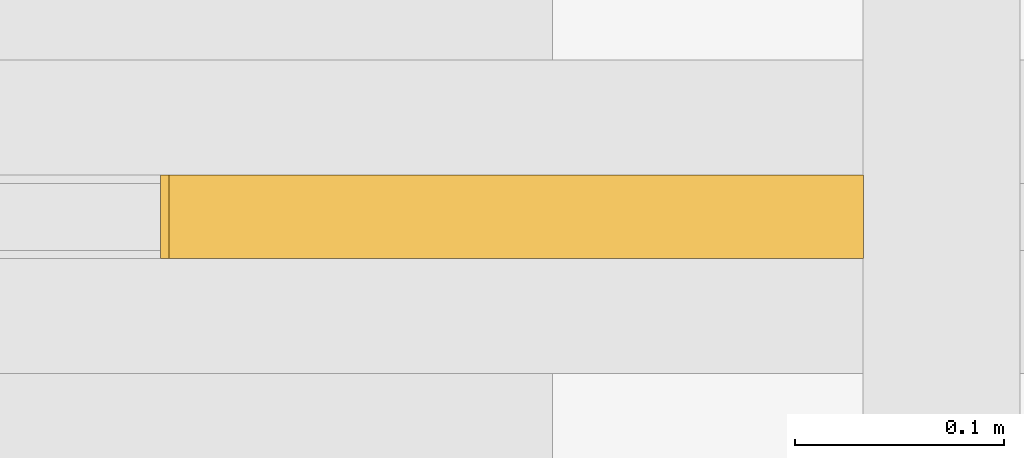
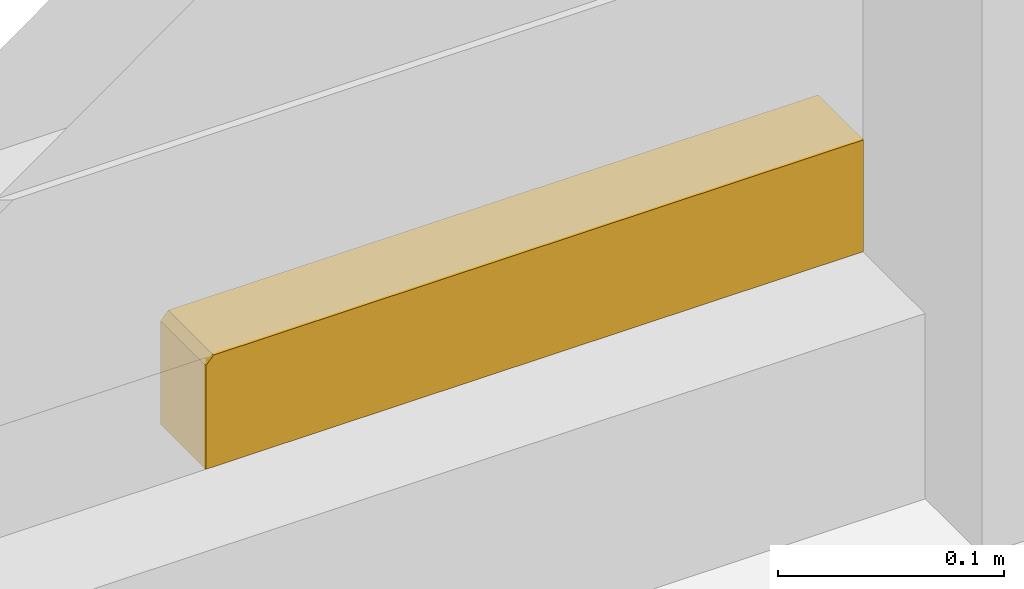
# One storey, part 25 of 25: 1 covering.
"""IFC4 building model written with IfcOpenShell, lengths in metres."""

from ifc_helpers import new_model, si_unit, direction, frame, origin, place, context, subcontext, project, spatial, polyline, outline, extrude, material, layer, layer_set, type_object, element, save


model = new_model("IFC4")

# Units and contexts
model_context = context("Model", 3, precision=1e-05, world=origin(), true_north=direction((0.0, 1.0)))
body_context = subcontext(model_context, "Body", "Model", "MODEL_VIEW")
ifc_project = project(units=[si_unit("LENGTHUNIT", "METRE"), si_unit("AREAUNIT", "SQUARE_METRE"), si_unit("VOLUMEUNIT", "CUBIC_METRE"), si_unit("PLANEANGLEUNIT", "RADIAN"), si_unit("MASSUNIT", "GRAM", prefix="KILO")], contexts=[model_context])

# Site, building, storey
site_placement = place(None, origin())
site = spatial("IfcSite", under=ifc_project, at=site_placement, CompositionType="ELEMENT")
building_placement = place(site_placement, origin())
building = spatial("IfcBuilding", under=site, at=building_placement, Name="Malebo Sky Hospital", CompositionType="ELEMENT")
storey_placement = place(building_placement, frame((0.0, 0.0, 6.0)))
storey = spatial("IfcBuildingStorey", under=building, at=storey_placement, Name="L01", CompositionType="ELEMENT", Elevation=6.0)

# Covering
ifc_material = material(Name="Anodised aluminium, natural silver insulated infill panel", Category="aluminium")
ifc_layer = layer(ifc_material, 0.0400390625)
ifc_layer_set = layer_set([ifc_layer], Name="BRACE INFILL PANEL 40")
covering_type = type_object("IfcCoveringType", Name="BRACE INFILL PANEL 40", PredefinedType="CLADDING", material=ifc_layer_set)
covering_placement = place(storey_placement, frame((104.48046875, 85.875, 0.10009765625), z_axis=(0.0, 0.0, 1.0), x_axis=(-1.0, 0.0, 0.0)))
element("IfcCovering", 1, at=covering_placement, inside=storey, type_object=covering_type, Name="Brace infill panel 2.2", PredefinedType="CLADDING", context=body_context, shape_type="SweptSolid", body=[
    extrude(outline(polyline([(-0.16796875, 0.0), (0.167724609375, 0.0), (0.167724609375, 0.055908203125), (0.163818359375, 0.060302734375), (-0.16796875, 0.060302734375), (-0.16796875, 0.0)])), frame((0.0, 0.02001953125, 0.0), z_axis=(0.0, -1.0, 0.0), x_axis=(1.0, 0.0, 0.0)), (0.0, 0.0, 1.0), 0.0400390625),
])

save(model, "model.ifc")
